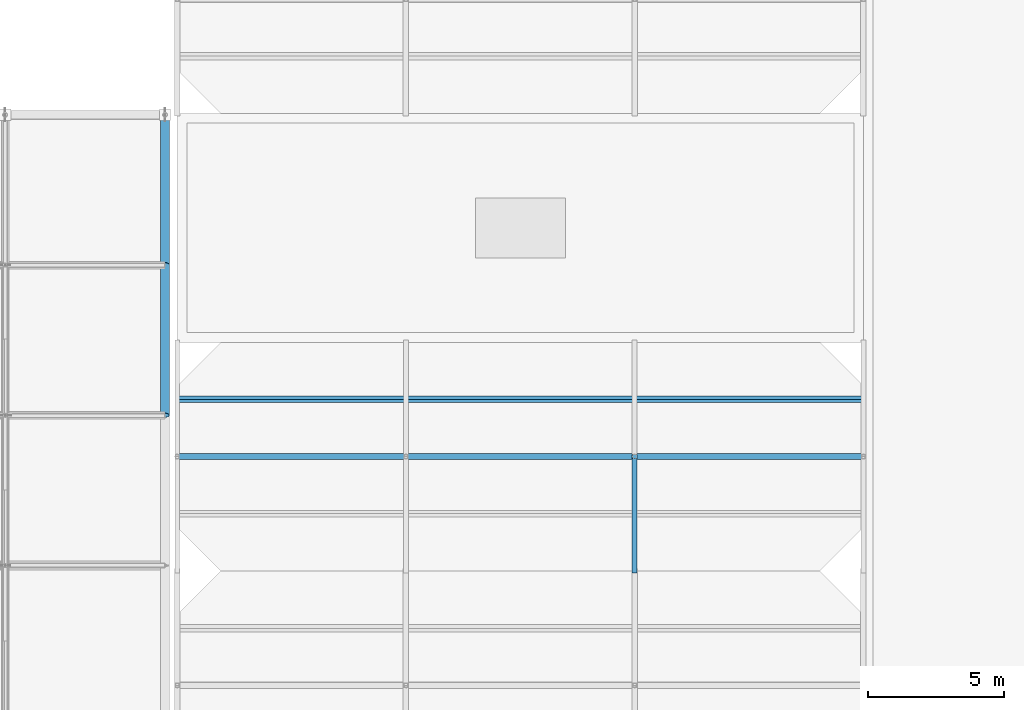
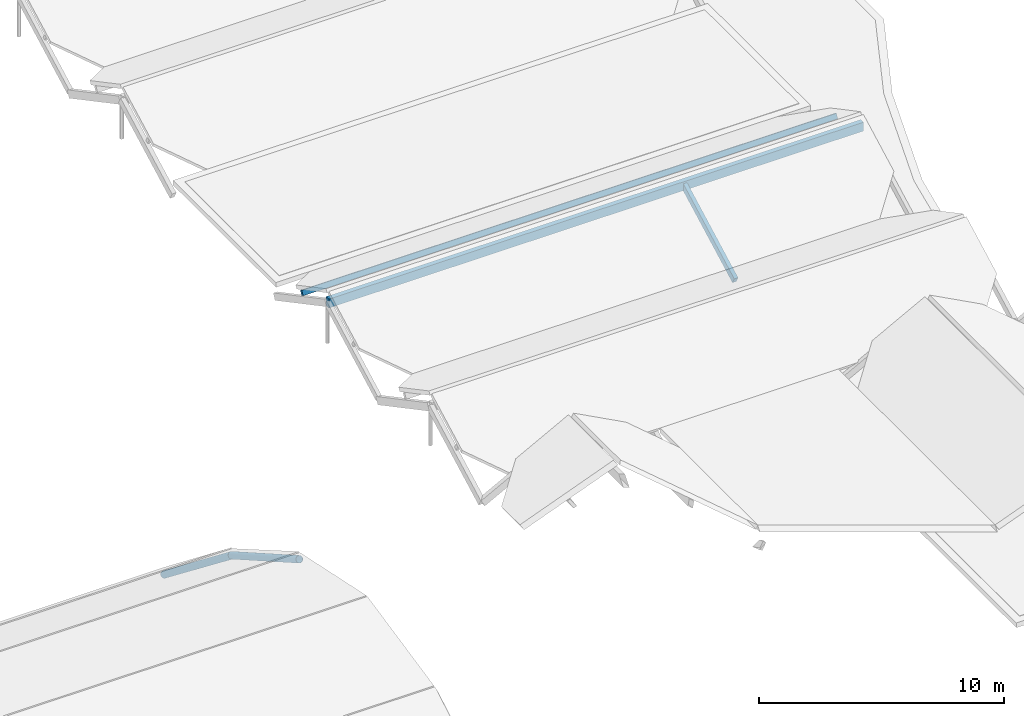
# One storey, part 36 of 82: 4 members, 1 beam.
"""IFC4 building model written with IfcOpenShell, lengths in metres."""

from ifc_helpers import new_model, si_unit, direction, frame, origin, origin_2d, place, context, subcontext, project, spatial, rectangle, hollow_circle, extrude, material, material_profile, profile_set, type_object, element, save


model = new_model("IFC4")

# Units and contexts
model_context = context("Model", 3, precision=1e-05, world=origin(), true_north=direction((0.0, 1.0)))
body_context = subcontext(model_context, "Body", "Model", "MODEL_VIEW")
ifc_project = project(units=[si_unit("LENGTHUNIT", "METRE"), si_unit("AREAUNIT", "SQUARE_METRE"), si_unit("VOLUMEUNIT", "CUBIC_METRE"), si_unit("PLANEANGLEUNIT", "RADIAN"), si_unit("MASSUNIT", "GRAM", prefix="KILO")], contexts=[model_context])

# Site, building, storey
site_placement = place(None, origin())
site = spatial("IfcSite", under=ifc_project, at=site_placement, CompositionType="ELEMENT")
building_placement = place(site_placement, origin())
building = spatial("IfcBuilding", under=site, at=building_placement, Name="Bramfleet General Hospital", CompositionType="ELEMENT")
storey_placement = place(building_placement, frame((0.0, 0.0, 34.199951171875)))
storey = spatial("IfcBuildingStorey", under=building, at=storey_placement, Name="Roof", CompositionType="ELEMENT", Elevation=34.199951171875)

# Beam
ifc_material_1 = material(Name="Structural timber GL28h", Category="wood")
ifc_material_profile_1 = material_profile(ifc_material_1, rectangle(XDim=0.219970703125, YDim=0.43994140625, at=origin_2d()), Name="GL28h 440x220")
ifc_profile_set_1 = profile_set([ifc_material_profile_1], Name="Structural timber GL28h")
beam_type = type_object("IfcBeamType", Name="BM-GL440", PredefinedType="BEAM", material=ifc_profile_set_1)
beam_placement = place(storey_placement, frame((92.39990234375, 37.800048828125, 1.561279296875), z_axis=(1.0, 0.0, 0.0), x_axis=(0.0, 1.0, 0.0)))
element("IfcBeam", 1, at=beam_placement, inside=storey, type_object=beam_type, Name="Patient House PH-10 Glulam Ridge Beam", PredefinedType="BEAM", context=body_context, shape_type="SweptSolid", body=[
    extrude(rectangle(XDim=0.219970703125, YDim=0.43994140625, at=origin_2d()), origin(), (0.0, 0.0, 1.0), 25.2001953125),
])

# Members
ifc_material_profile_2 = material_profile(ifc_material_1, rectangle(XDim=0.139892578125, YDim=0.239990234375, at=origin_2d()), Name="GL28h 240x140")
ifc_profile_set_2 = profile_set([ifc_material_profile_2], Name="Structural timber GL28h")
member_type_1 = type_object("IfcMemberType", Name="MEM-PR-GL240", PredefinedType="PURLIN", material=ifc_profile_set_2)
member_1_placement = place(storey_placement, frame((92.39990234375, 39.89990234375, 0.754638671875), z_axis=(1.0, 0.0, 0.0), x_axis=(0.0, 0.882947592859, -0.469471562786)))
element("IfcMember", 2, at=member_1_placement, inside=storey, type_object=member_type_1, Name="Patient House PH-10 North Glulam Purlin", PredefinedType="PURLIN", context=body_context, shape_type="SweptSolid", body=[
    extrude(rectangle(XDim=0.139892578125, YDim=0.239990234375, at=origin_2d()), origin(), (0.0, 0.0, 1.0), 25.2001953125),
])
ifc_material_profile_3 = material_profile(ifc_material_1, rectangle(XDim=0.179931640625, YDim=0.320068359375, at=origin_2d()), Name="GL28h 320x180")
ifc_profile_set_3 = profile_set([ifc_material_profile_3], Name="Structural timber GL28h")
member_type_2 = type_object("IfcMemberType", Name="MEM-RF-GL320", PredefinedType="RAFTER", material=ifc_profile_set_3)
member_2_placement = place(storey_placement, frame((109.199951171875, 33.60009765625, -0.671875), z_axis=(0.0, 0.882947536541, 0.469471668705), x_axis=(-1.0, 0.0, 0.0)))
element("IfcMember", 3, at=member_2_placement, inside=storey, type_object=member_type_2, Name="Patient House PH-10 South Glulam Rafter 2", PredefinedType="RAFTER", context=body_context, shape_type="SweptSolid", body=[
    extrude(rectangle(XDim=0.179931640625, YDim=0.320068359375, at=origin_2d()), origin(), (0.0, 0.0, 1.0), 4.7568359375),
])
ifc_material_2 = material(Name="Steel S355", Category="steel")
ifc_material_profile_4 = material_profile(ifc_material_2, hollow_circle(Radius=0.161865234375, WallThickness=0.012451171875, at=origin_2d()), Name="CHS 323.9x12.5")
ifc_profile_set_4 = profile_set([ifc_material_profile_4], Name="Steel S355")
member_type_3 = type_object("IfcMemberType", Name="MEM-SF-TC1", PredefinedType="CHORD", material=ifc_profile_set_4)
member_3_placement = place(storey_placement, frame((91.949951171875, 39.316650390625, -12.002197265625), z_axis=(0.0, 0.868557572351, -0.495588280241), x_axis=(-1.0, 0.0, 0.0)))
element("IfcMember", 4, at=member_3_placement, inside=storey, type_object=member_type_3, Name="Space Frame Top Chord Y 7-4", PredefinedType="CHORD", context=body_context, shape_type="SweptSolid", body=[
    extrude(hollow_circle(Radius=0.161865234375, WallThickness=0.012451171875, at=origin_2d()), origin(), (0.0, 0.0, 1.0), 6.3515625),
])
member_4_placement = place(storey_placement, frame((91.949951171875, 44.833251953125, -15.14990234375), z_axis=(0.0, 0.788716549393, -0.614757029007), x_axis=(-1.0, 0.0, 0.0)))
element("IfcMember", 5, at=member_4_placement, inside=storey, type_object=member_type_3, Name="Space Frame Top Chord Y 7-5", PredefinedType="CHORD", context=body_context, shape_type="SweptSolid", body=[
    extrude(hollow_circle(Radius=0.161865234375, WallThickness=0.012451171875, at=origin_2d()), origin(), (0.0, 0.0, 1.0), 6.99462890625),
])

save(model, "model.ifc")
